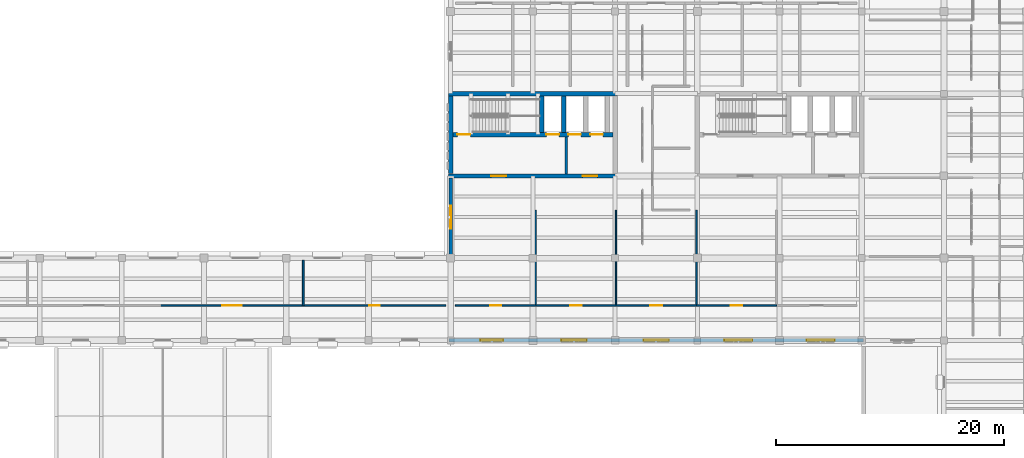
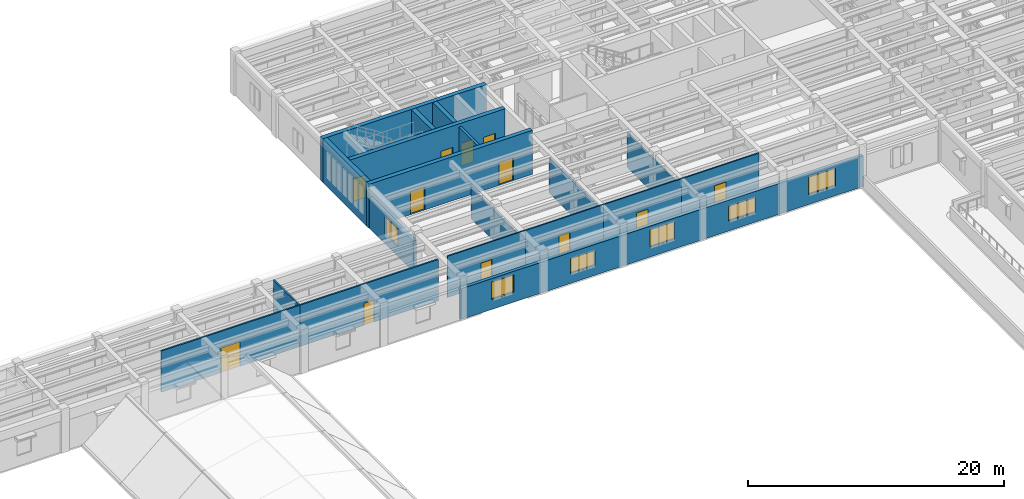
# One storey, part 24 of 40: 19 walls, 12 doors, 6 windows, 18 openings.
"""IFC4 building model written with IfcOpenShell, lengths in metres."""

from ifc_helpers import new_model, si_unit, direction, frame, frame_2d, origin, place, context, subcontext, project, spatial, rectangle, extrude, material, layer, layer_set, type_object, element, fill, save


model = new_model("IFC4")

# Units and contexts
model_context = context("Model", 3, precision=1e-05, world=origin(), true_north=direction((0.0, 1.0)))
body_context = subcontext(model_context, "Body", "Model", "MODEL_VIEW")
ifc_project = project(units=[si_unit("LENGTHUNIT", "METRE"), si_unit("AREAUNIT", "SQUARE_METRE"), si_unit("VOLUMEUNIT", "CUBIC_METRE"), si_unit("PLANEANGLEUNIT", "RADIAN"), si_unit("MASSUNIT", "GRAM", prefix="KILO")], contexts=[model_context])

# Site, building, storey
site_placement = place(None, origin())
site = spatial("IfcSite", under=ifc_project, at=site_placement, CompositionType="ELEMENT")
building_placement = place(site_placement, origin())
building = spatial("IfcBuilding", under=site, at=building_placement, Name="Mithqara Police Headquarters", CompositionType="ELEMENT")
storey_placement = place(building_placement, frame((0.0, 0.0, 13.800048828125)))
storey = spatial("IfcBuildingStorey", under=building, at=storey_placement, Name="L03", CompositionType="ELEMENT", Elevation=13.800048828125)

# Wall
ifc_material_1 = material(Name="Concrete C40/50", Category="concrete")
ifc_layer_1 = layer(ifc_material_1, 0.239990234375, Name="Concrete C40/50")
ifc_layer_set_1 = layer_set([ifc_layer_1], Name="Concrete C40/50")
wall_type_1 = type_object("IfcWallType", Name="CORE LOBBY WALL 240", PredefinedType="SOLIDWALL", material=ifc_layer_set_1)
wall_1_placement = place(storey_placement, frame((118.72998046875, 93.18994140625, 0.0), z_axis=(0.0, 0.0, 1.0), x_axis=(0.0, 1.0, 0.0)))
element("IfcWall", 1, at=wall_1_placement, inside=storey, type_object=wall_type_1, Name="Core C1 Command West Firefighting Lobby Separation Wall L03", PredefinedType="SOLIDWALL", context=body_context, shape_type="SweptSolid", body=[
    extrude(rectangle(XDim=3.239990234375, YDim=0.239990234375, at=frame_2d((1.6201171875, 0.0))), origin(), (0.0, 0.0, 1.0), 3.909912109375),
])

# Wall, openings, windows
ifc_material_2 = material(Name="Ochre masonry cavity wall, 35 MPa", Category="masonry")
ifc_layer_2 = layer(ifc_material_2, 0.300048828125, Name="Ochre masonry cavity wall, 35 MPa")
ifc_layer_set_2 = layer_set([ifc_layer_2], Name="Ochre masonry cavity wall, 35 MPa")
wall_type_2 = type_object("IfcWallType", Name="EXT WALL OCHRE BRICK300", PredefinedType="SOLIDWALL", material=ifc_layer_set_2)
wall_2_placement = place(storey_placement, frame((108.449951171875, 78.60009765625, 0.0), z_axis=(0.0, 0.0, 1.0), x_axis=(1.0, 0.0, 0.0)))
wall_2 = element("IfcWall", 2, at=wall_2_placement, inside=storey, type_object=wall_type_2, Name="L03 Exterior Wall 6.1", PredefinedType="SOLIDWALL", context=body_context, shape_type="SweptSolid", body=[
    extrude(rectangle(XDim=36.300048828125, YDim=0.300048828125, at=frame_2d((18.14990234375, 0.0))), origin(), (0.0, 0.0, 1.0), 2.93994140625),
])
opening_1_placement = place(wall_2_placement, frame((2.75, 0.0, 0.949951171875)))
opening_1 = element("IfcOpeningElement", 3, at=opening_1_placement, cuts=wall_2, Name="Opening W-37", PredefinedType="OPENING", context=body_context, shape_type="SweptSolid", body=[
    extrude(rectangle(XDim=2.0, YDim=1.64990234375, at=frame_2d((1.0, 0.824951171875))), frame((0.0, 0.16015625, 0.0), z_axis=(0.0, -1.0, 0.0), x_axis=(1.0, 0.0, 0.0)), (0.0, 0.0, 1.0), 0.320068359375),
])
opening_2_placement = place(wall_2_placement, frame((9.85009765625, 0.0, 0.949951171875)))
opening_2 = element("IfcOpeningElement", 4, at=opening_2_placement, cuts=wall_2, Name="Opening W-41", PredefinedType="OPENING", context=body_context, shape_type="SweptSolid", body=[
    extrude(rectangle(XDim=2.199951171875, YDim=1.39990234375, at=frame_2d((1.10009765625, 0.699951171875))), frame((0.0, 0.16015625, 0.0), z_axis=(0.0, -1.0, 0.0), x_axis=(1.0, 0.0, 0.0)), (0.0, 0.0, 1.0), 0.320068359375),
])
opening_3_placement = place(wall_2_placement, frame((17.050048828125, 0.0, 0.949951171875)))
opening_3 = element("IfcOpeningElement", 5, at=opening_3_placement, cuts=wall_2, Name="Opening W-42", PredefinedType="OPENING", context=body_context, shape_type="SweptSolid", body=[
    extrude(rectangle(XDim=2.199951171875, YDim=1.64990234375, at=frame_2d((1.10009765625, 0.824951171875))), frame((0.0, 0.16015625, 0.0), z_axis=(0.0, -1.0, 0.0), x_axis=(1.0, 0.0, 0.0)), (0.0, 0.0, 1.0), 0.320068359375),
])
opening_4_placement = place(wall_2_placement, frame((24.125, 0.0, 0.949951171875)))
opening_4 = element("IfcOpeningElement", 6, at=opening_4_placement, cuts=wall_2, Name="Opening W-46", PredefinedType="OPENING", context=body_context, shape_type="SweptSolid", body=[
    extrude(rectangle(XDim=2.449951171875, YDim=1.39990234375, at=frame_2d((1.22509765625, 0.699951171875))), frame((0.0, 0.16015625, 0.0), z_axis=(0.0, -1.0, 0.0), x_axis=(1.0, 0.0, 0.0)), (0.0, 0.0, 1.0), 0.320068359375),
])
opening_5_placement = place(wall_2_placement, frame((31.324951171875, 0.0, 0.949951171875)))
opening_5 = element("IfcOpeningElement", 7, at=opening_5_placement, cuts=wall_2, Name="Opening W-47", PredefinedType="OPENING", context=body_context, shape_type="SweptSolid", body=[
    extrude(rectangle(XDim=2.449951171875, YDim=1.64990234375, at=frame_2d((1.22509765625, 0.824951171875))), frame((0.0, 0.16015625, 0.0), z_axis=(0.0, -1.0, 0.0), x_axis=(1.0, 0.0, 0.0)), (0.0, 0.0, 1.0), 0.320068359375),
])
ifc_material_3 = material(Name="Spectrally selective double low-e glass", Category="glass")
window_type_1 = type_object("IfcWindowType", Name="WINDOW 2000X1650", PartitioningType="DOUBLE_PANEL_VERTICAL", PredefinedType="WINDOW", material=ifc_material_3)
window_1_placement = place(opening_1_placement, origin())
window_1 = element("IfcWindow", 8, at=window_1_placement, inside=storey, type_object=window_type_1, Name="L03 Command Block Screened Window 6.1", OverallHeight=1.64990234375, OverallWidth=2.0, PartitioningType="SINGLE_PANEL", PredefinedType="WINDOW", context=body_context, shape_type="SweptSolid", body=[
    extrude(rectangle(XDim=2.0, YDim=1.64990234375, at=frame_2d((1.0, 0.824951171875))), frame((0.0, 0.030029296875, 0.0), z_axis=(0.0, -1.0, 0.0), x_axis=(1.0, 0.0, 0.0)), (0.0, 0.0, 1.0), 0.06005859375),
])
fill(opening_1, window_1)
window_type_2 = type_object("IfcWindowType", Name="WINDOW 2200X1400", PartitioningType="DOUBLE_PANEL_VERTICAL", PredefinedType="WINDOW", material=ifc_material_3)
window_2_placement = place(opening_2_placement, origin())
window_2 = element("IfcWindow", 9, at=window_2_placement, inside=storey, type_object=window_type_2, Name="L03 Command Block Screened Window 6.2", OverallHeight=1.39990234375, OverallWidth=2.199951171875, PartitioningType="SINGLE_PANEL", PredefinedType="WINDOW", context=body_context, shape_type="SweptSolid", body=[
    extrude(rectangle(XDim=2.199951171875, YDim=1.39990234375, at=frame_2d((1.10009765625, 0.699951171875))), frame((0.0, 0.030029296875, 0.0), z_axis=(0.0, -1.0, 0.0), x_axis=(1.0, 0.0, 0.0)), (0.0, 0.0, 1.0), 0.06005859375),
])
fill(opening_2, window_2)
window_type_3 = type_object("IfcWindowType", Name="WINDOW 2200X1650", PartitioningType="DOUBLE_PANEL_VERTICAL", PredefinedType="WINDOW", material=ifc_material_3)
window_3_placement = place(opening_3_placement, origin())
window_3 = element("IfcWindow", 10, at=window_3_placement, inside=storey, type_object=window_type_3, Name="L03 Command Block Screened Window 6.3", OverallHeight=1.64990234375, OverallWidth=2.199951171875, PartitioningType="SINGLE_PANEL", PredefinedType="WINDOW", context=body_context, shape_type="SweptSolid", body=[
    extrude(rectangle(XDim=2.199951171875, YDim=1.64990234375, at=frame_2d((1.10009765625, 0.824951171875))), frame((0.0, 0.030029296875, 0.0), z_axis=(0.0, -1.0, 0.0), x_axis=(1.0, 0.0, 0.0)), (0.0, 0.0, 1.0), 0.06005859375),
])
fill(opening_3, window_3)
window_type_4 = type_object("IfcWindowType", Name="WINDOW 2450X1400", PartitioningType="DOUBLE_PANEL_VERTICAL", PredefinedType="WINDOW", material=ifc_material_3)
window_4_placement = place(opening_4_placement, origin())
window_4 = element("IfcWindow", 11, at=window_4_placement, inside=storey, type_object=window_type_4, Name="L03 Command Block Screened Window 6.4", OverallHeight=1.39990234375, OverallWidth=2.449951171875, PartitioningType="SINGLE_PANEL", PredefinedType="WINDOW", context=body_context, shape_type="SweptSolid", body=[
    extrude(rectangle(XDim=2.449951171875, YDim=1.39990234375, at=frame_2d((1.22509765625, 0.699951171875))), frame((0.0, 0.030029296875, 0.0), z_axis=(0.0, -1.0, 0.0), x_axis=(1.0, 0.0, 0.0)), (0.0, 0.0, 1.0), 0.06005859375),
])
fill(opening_4, window_4)
window_type_5 = type_object("IfcWindowType", Name="WINDOW 2450X1650", PartitioningType="DOUBLE_PANEL_VERTICAL", PredefinedType="WINDOW", material=ifc_material_3)
window_5_placement = place(opening_5_placement, origin())
window_5 = element("IfcWindow", 12, at=window_5_placement, inside=storey, type_object=window_type_5, Name="L03 Command Block Screened Window 6.5", OverallHeight=1.64990234375, OverallWidth=2.449951171875, PartitioningType="SINGLE_PANEL", PredefinedType="WINDOW", context=body_context, shape_type="SweptSolid", body=[
    extrude(rectangle(XDim=2.449951171875, YDim=1.64990234375, at=frame_2d((1.22509765625, 0.824951171875))), frame((0.0, 0.030029296875, 0.0), z_axis=(0.0, -1.0, 0.0), x_axis=(1.0, 0.0, 0.0)), (0.0, 0.0, 1.0), 0.06005859375),
])
fill(opening_5, window_5)

# Wall, opening, window
wall_3_placement = place(storey_placement, frame((108.60009765625, 92.81005859375, 0.0), z_axis=(0.0, 0.0, 1.0), x_axis=(0.0, -1.0, 0.0)))
wall_3 = element("IfcWall", 13, at=wall_3_placement, inside=storey, type_object=wall_type_2, Name="L03 Exterior Wall 14.2", PredefinedType="SOLIDWALL", context=body_context, shape_type="SweptSolid", body=[
    extrude(rectangle(XDim=6.860107421875, YDim=0.300048828125, at=frame_2d((3.43017578125, 0.0))), origin(), (0.0, 0.0, 1.0), 2.93994140625),
])
opening_6_placement = place(wall_3_placement, frame((2.429931640625, 0.0, 0.949951171875)))
opening_6 = element("IfcOpeningElement", 14, at=opening_6_placement, cuts=wall_3, Name="Opening W-37", PredefinedType="OPENING", context=body_context, shape_type="SweptSolid", body=[
    extrude(rectangle(XDim=2.0, YDim=1.64990234375, at=frame_2d((1.0, 0.824951171875))), frame((0.0, 0.16015625, 0.0), z_axis=(0.0, -1.0, 0.0), x_axis=(1.0, 0.0, 0.0)), (0.0, 0.0, 1.0), 0.320068359375),
])
window_6_placement = place(opening_6_placement, origin())
window_6 = element("IfcWindow", 15, at=window_6_placement, inside=storey, type_object=window_type_1, Name="L03 Command Block Screened Window 14.1", OverallHeight=1.64990234375, OverallWidth=2.0, PartitioningType="SINGLE_PANEL", PredefinedType="WINDOW", context=body_context, shape_type="SweptSolid", body=[
    extrude(rectangle(XDim=2.0, YDim=1.64990234375, at=frame_2d((1.0, 0.824951171875))), frame((0.0, 0.030029296875, 0.0), z_axis=(0.0, -1.0, 0.0), x_axis=(1.0, 0.0, 0.0)), (0.0, 0.0, 1.0), 0.06005859375),
])
fill(opening_6, window_6)

# Wall, opening, door
ifc_material_4 = material(Name="Gypsum acoustic stud partition", Category="gypsum")
ifc_layer_3 = layer(ifc_material_4, 0.1201171875, Name="Gypsum acoustic stud partition")
ifc_layer_set_3 = layer_set([ifc_layer_3], Name="Gypsum acoustic stud partition")
wall_type_3 = type_object("IfcWallType", Name="PART WALL 120", PredefinedType="PARTITIONING", material=ifc_layer_set_3)
wall_4_placement = place(storey_placement, frame((109.02001953125, 81.639892578125, 0.0), z_axis=(0.0, 0.0, 1.0), x_axis=(1.0, 0.0, 0.0)))
wall_4 = element("IfcWall", 16, at=wall_4_placement, inside=storey, type_object=wall_type_3, Name="L03 Corridor Wall Warrants and Records Office", PredefinedType="PARTITIONING", context=body_context, shape_type="SweptSolid", body=[
    extrude(rectangle(XDim=7.031982421875, YDim=0.1201171875, at=frame_2d((3.51611328125, 0.0))), origin(), (0.0, 0.0, 1.0), 3.93994140625),
])
opening_7_placement = place(wall_4_placement, frame((3.02587890625, 0.0, 0.0)))
opening_7 = element("IfcOpeningElement", 17, at=opening_7_placement, cuts=wall_4, Name="Opening D-05", PredefinedType="OPENING", context=body_context, shape_type="SweptSolid", body=[
    extrude(rectangle(XDim=0.97998046875, YDim=2.219970703125, at=frame_2d((0.489990234375, 1.10986328125))), frame((0.0, 0.070068359375, 0.0), z_axis=(0.0, -1.0, 0.0), x_axis=(1.0, 0.0, 0.0)), (0.0, 0.0, 1.0), 0.14013671875),
])
ifc_material_5 = material(Name="Acoustic solid-core timber leaf", Category="wood")
door_type_1 = type_object("IfcDoorType", Name="INT DOOR 980X2220", OperationType="NOTDEFINED", PredefinedType="DOOR", material=ifc_material_5)
door_1_placement = place(opening_7_placement, origin())
door_1 = element("IfcDoor", 18, at=door_1_placement, inside=storey, type_object=door_type_1, Name="Warrants and Records Office Entry Door", OperationType="SINGLE_SWING_RIGHT", OverallHeight=2.219970703125, OverallWidth=0.97998046875, PredefinedType="DOOR", context=body_context, shape_type="SweptSolid", body=[
    extrude(rectangle(XDim=0.97998046875, YDim=2.219970703125, at=frame_2d((0.489990234375, 1.10986328125))), frame((0.0, 0.02490234375, 0.0), z_axis=(0.0, -1.0, 0.0), x_axis=(1.0, 0.0, 0.0)), (0.0, 0.0, 1.0), 0.050048828125),
])
fill(opening_7, door_1)

# Wall
wall_5_placement = place(storey_placement, frame((116.052001953125, 81.639892578125, 0.0), z_axis=(0.0, 0.0, 1.0), x_axis=(0.0, 1.0, 0.0)))
element("IfcWall", 19, at=wall_5_placement, inside=storey, type_object=wall_type_3, Name="L03 Room Partition Warrants and Records Office", PredefinedType="PARTITIONING", context=body_context, shape_type="SweptSolid", body=[
    extrude(rectangle(XDim=8.360107421875, YDim=0.1201171875, at=frame_2d((4.18017578125, 0.0))), origin(), (0.0, 0.0, 1.0), 2.93994140625),
])

# Wall, opening, door
wall_6_placement = place(storey_placement, frame((116.052001953125, 81.639892578125, 0.0), z_axis=(0.0, 0.0, 1.0), x_axis=(1.0, 0.0, 0.0)))
wall_6 = element("IfcWall", 20, at=wall_6_placement, inside=storey, type_object=wall_type_3, Name="L03 Corridor Wall Judicial Liaison Suite", PredefinedType="PARTITIONING", context=body_context, shape_type="SweptSolid", body=[
    extrude(rectangle(XDim=7.031982421875, YDim=0.1201171875, at=frame_2d((3.51611328125, 0.0))), origin(), (0.0, 0.0, 1.0), 3.93994140625),
])
opening_8_placement = place(wall_6_placement, frame((3.02587890625, 0.0, 0.0)))
opening_8 = element("IfcOpeningElement", 21, at=opening_8_placement, cuts=wall_6, Name="Opening D-06", PredefinedType="OPENING", context=body_context, shape_type="SweptSolid", body=[
    extrude(rectangle(XDim=0.97998046875, YDim=2.35009765625, at=frame_2d((0.489990234375, 1.175048828125))), frame((0.0, 0.070068359375, 0.0), z_axis=(0.0, -1.0, 0.0), x_axis=(1.0, 0.0, 0.0)), (0.0, 0.0, 1.0), 0.14013671875),
])
door_type_2 = type_object("IfcDoorType", Name="INT DOOR 980X2350", OperationType="NOTDEFINED", PredefinedType="DOOR", material=ifc_material_5)
door_2_placement = place(opening_8_placement, origin())
door_2 = element("IfcDoor", 22, at=door_2_placement, inside=storey, type_object=door_type_2, Name="Judicial Liaison Suite Entry Door", OperationType="SINGLE_SWING_LEFT", OverallHeight=2.35009765625, OverallWidth=0.97998046875, PredefinedType="DOOR", context=body_context, shape_type="SweptSolid", body=[
    extrude(rectangle(XDim=0.97998046875, YDim=2.35009765625, at=frame_2d((0.489990234375, 1.175048828125))), frame((0.0, 0.02490234375, 0.0), z_axis=(0.0, -1.0, 0.0), x_axis=(1.0, 0.0, 0.0)), (0.0, 0.0, 1.0), 0.050048828125),
])
fill(opening_8, door_2)

# Wall
wall_7_placement = place(storey_placement, frame((123.083984375, 81.639892578125, 0.0), z_axis=(0.0, 0.0, 1.0), x_axis=(0.0, 1.0, 0.0)))
element("IfcWall", 23, at=wall_7_placement, inside=storey, type_object=wall_type_3, Name="L03 Room Partition Judicial Liaison Suite", PredefinedType="PARTITIONING", context=body_context, shape_type="SweptSolid", body=[
    extrude(rectangle(XDim=8.360107421875, YDim=0.1201171875, at=frame_2d((4.18017578125, 0.0))), origin(), (0.0, 0.0, 1.0), 3.33984375),
])

# Wall, opening, door
wall_8_placement = place(storey_placement, frame((123.083984375, 81.639892578125, 0.0), z_axis=(0.0, 0.0, 1.0), x_axis=(1.0, 0.0, 0.0)))
wall_8 = element("IfcWall", 24, at=wall_8_placement, inside=storey, type_object=wall_type_3, Name="L03 Corridor Wall Briefing Room", PredefinedType="PARTITIONING", context=body_context, shape_type="SweptSolid", body=[
    extrude(rectangle(XDim=7.031982421875, YDim=0.1201171875, at=frame_2d((3.51611328125, 0.0))), origin(), (0.0, 0.0, 1.0), 3.93994140625),
])
opening_9_placement = place(wall_8_placement, frame((2.99609375, 0.0, 0.0)))
opening_9 = element("IfcOpeningElement", 25, at=opening_9_placement, cuts=wall_8, Name="Opening D-07", PredefinedType="OPENING", context=body_context, shape_type="SweptSolid", body=[
    extrude(rectangle(XDim=1.0400390625, YDim=2.10009765625, at=frame_2d((0.52001953125, 1.050048828125))), frame((0.0, 0.070068359375, 0.0), z_axis=(0.0, -1.0, 0.0), x_axis=(1.0, 0.0, 0.0)), (0.0, 0.0, 1.0), 0.14013671875),
])
door_type_3 = type_object("IfcDoorType", Name="INT DOOR 1040X2100", OperationType="NOTDEFINED", PredefinedType="DOOR", material=ifc_material_5)
door_3_placement = place(opening_9_placement, origin())
door_3 = element("IfcDoor", 26, at=door_3_placement, inside=storey, type_object=door_type_3, Name="Briefing Room Entry Door", OperationType="SINGLE_SWING_RIGHT", OverallHeight=2.10009765625, OverallWidth=1.0400390625, PredefinedType="DOOR", context=body_context, shape_type="SweptSolid", body=[
    extrude(rectangle(XDim=1.0400390625, YDim=2.10009765625, at=frame_2d((0.52001953125, 1.050048828125))), frame((0.0, 0.02490234375, 0.0), z_axis=(0.0, -1.0, 0.0), x_axis=(1.0, 0.0, 0.0)), (0.0, 0.0, 1.0), 0.050048828125),
])
fill(opening_9, door_3)

# Wall
wall_9_placement = place(storey_placement, frame((130.115966796875, 81.639892578125, 0.0), z_axis=(0.0, 0.0, 1.0), x_axis=(0.0, 1.0, 0.0)))
element("IfcWall", 27, at=wall_9_placement, inside=storey, type_object=wall_type_3, Name="L03 Room Partition Briefing Room", PredefinedType="PARTITIONING", context=body_context, shape_type="SweptSolid", body=[
    extrude(rectangle(XDim=8.360107421875, YDim=0.1201171875, at=frame_2d((4.18017578125, 0.0))), origin(), (0.0, 0.0, 1.0), 3.2900390625),
])

# Wall, opening, door
wall_10_placement = place(storey_placement, frame((130.115966796875, 81.639892578125, 0.0), z_axis=(0.0, 0.0, 1.0), x_axis=(1.0, 0.0, 0.0)))
wall_10 = element("IfcWall", 28, at=wall_10_placement, inside=storey, type_object=wall_type_3, Name="L03 Corridor Wall Criminal Records Verification Room", PredefinedType="PARTITIONING", context=body_context, shape_type="SweptSolid", body=[
    extrude(rectangle(XDim=7.031982421875, YDim=0.1201171875, at=frame_2d((3.51611328125, 0.0))), origin(), (0.0, 0.0, 1.0), 3.93994140625),
])
opening_10_placement = place(wall_10_placement, frame((2.99609375, 0.0, 0.0)))
opening_10 = element("IfcOpeningElement", 29, at=opening_10_placement, cuts=wall_10, Name="Opening D-08", PredefinedType="OPENING", context=body_context, shape_type="SweptSolid", body=[
    extrude(rectangle(XDim=1.0400390625, YDim=2.219970703125, at=frame_2d((0.52001953125, 1.10986328125))), frame((0.0, 0.070068359375, 0.0), z_axis=(0.0, -1.0, 0.0), x_axis=(1.0, 0.0, 0.0)), (0.0, 0.0, 1.0), 0.14013671875),
])
door_type_4 = type_object("IfcDoorType", Name="INT DOOR 1040X2220", OperationType="NOTDEFINED", PredefinedType="DOOR", material=ifc_material_5)
door_4_placement = place(opening_10_placement, origin())
door_4 = element("IfcDoor", 30, at=door_4_placement, inside=storey, type_object=door_type_4, Name="Criminal Records Verification Room Entry Door", OperationType="SINGLE_SWING_LEFT", OverallHeight=2.219970703125, OverallWidth=1.0400390625, PredefinedType="DOOR", context=body_context, shape_type="SweptSolid", body=[
    extrude(rectangle(XDim=1.0400390625, YDim=2.219970703125, at=frame_2d((0.52001953125, 1.10986328125))), frame((0.0, 0.02490234375, 0.0), z_axis=(0.0, -1.0, 0.0), x_axis=(1.0, 0.0, 0.0)), (0.0, 0.0, 1.0), 0.050048828125),
])
fill(opening_10, door_4)

ifc_layer_4 = layer(ifc_material_4, 0.139892578125, Name="Gypsum acoustic stud partition")
ifc_layer_set_4 = layer_set([ifc_layer_4], Name="Gypsum acoustic stud partition")
wall_type_4 = type_object("IfcWallType", Name="PART WALL 140", PredefinedType="PARTITIONING", material=ifc_layer_set_4)
wall_11_placement = place(storey_placement, frame((83.18994140625, 81.639892578125, 0.0), z_axis=(0.0, 0.0, 1.0), x_axis=(1.0, 0.0, 0.0)))
wall_11 = element("IfcWall", 31, at=wall_11_placement, inside=storey, type_object=wall_type_4, Name="L03 Corridor Wall Tactical Classroom", PredefinedType="PARTITIONING", context=body_context, shape_type="SweptSolid", body=[
    extrude(rectangle(XDim=12.4951171875, YDim=0.139892578125, at=frame_2d((6.24755859375, 0.0))), origin(), (0.0, 0.0, 1.0), 3.93994140625),
])
opening_11_placement = place(wall_11_placement, frame((5.387451171875, 0.0, 0.0)))
opening_11 = element("IfcOpeningElement", 32, at=opening_11_placement, cuts=wall_11, Name="Opening D-24", PredefinedType="OPENING", context=body_context, shape_type="SweptSolid", body=[
    extrude(rectangle(XDim=1.719970703125, YDim=2.35009765625, at=frame_2d((0.85986328125, 1.175048828125))), frame((0.0, 0.080078125, 0.0), z_axis=(0.0, -1.0, 0.0), x_axis=(1.0, 0.0, 0.0)), (0.0, 0.0, 1.0), 0.159912109375),
])
ifc_material_6 = material(Name="Bronze anodised aluminium 6063-T6", Category="aluminium")
door_type_5 = type_object("IfcDoorType", Name="INT DOOR 1720X2350", OperationType="NOTDEFINED", PredefinedType="DOOR", material=ifc_material_6)
door_5_placement = place(opening_11_placement, origin())
door_5 = element("IfcDoor", 33, at=door_5_placement, inside=storey, type_object=door_type_5, Name="Tactical Classroom Entry Door", OperationType="DOUBLE_DOOR_SINGLE_SWING", OverallHeight=2.35009765625, OverallWidth=1.719970703125, PredefinedType="DOOR", context=body_context, shape_type="SweptSolid", body=[
    extrude(rectangle(XDim=1.719970703125, YDim=2.35009765625, at=frame_2d((0.85986328125, 1.175048828125))), frame((0.0, 0.02490234375, 0.0), z_axis=(0.0, -1.0, 0.0), x_axis=(1.0, 0.0, 0.0)), (0.0, 0.0, 1.0), 0.050048828125),
])
fill(opening_11, door_5)

# Wall
wall_12_placement = place(storey_placement, frame((95.68505859375, 81.639892578125, 0.0), z_axis=(0.0, 0.0, 1.0), x_axis=(0.0, 1.0, 0.0)))
element("IfcWall", 34, at=wall_12_placement, inside=storey, type_object=wall_type_4, Name="L03 Room Partition Tactical Classroom", PredefinedType="PARTITIONING", context=body_context, shape_type="SweptSolid", body=[
    extrude(rectangle(XDim=3.980224609375, YDim=0.139892578125, at=frame_2d((1.990234375, 0.0))), origin(), (0.0, 0.0, 1.0), 3.93994140625),
])

# Wall, opening, door
wall_13_placement = place(storey_placement, frame((95.68505859375, 81.639892578125, 0.0), z_axis=(0.0, 0.0, 1.0), x_axis=(1.0, 0.0, 0.0)))
wall_13 = element("IfcWall", 35, at=wall_13_placement, inside=storey, type_object=wall_type_4, Name="L03 Corridor Wall Instructor Preparation Room", PredefinedType="PARTITIONING", context=body_context, shape_type="SweptSolid", body=[
    extrude(rectangle(XDim=12.494873046875, YDim=0.139892578125, at=frame_2d((6.24755859375, 0.0))), origin(), (0.0, 0.0, 1.0), 3.93994140625),
])
opening_12_placement = place(wall_13_placement, frame((5.78759765625, 0.0, 0.0)))
opening_12 = element("IfcOpeningElement", 36, at=opening_12_placement, cuts=wall_13, Name="Opening D-01", PredefinedType="OPENING", context=body_context, shape_type="SweptSolid", body=[
    extrude(rectangle(XDim=0.919921875, YDim=2.10009765625, at=frame_2d((0.4599609375, 1.050048828125))), frame((0.0, 0.080078125, 0.0), z_axis=(0.0, -1.0, 0.0), x_axis=(1.0, 0.0, 0.0)), (0.0, 0.0, 1.0), 0.159912109375),
])
door_type_6 = type_object("IfcDoorType", Name="INT DOOR 920X2100", OperationType="NOTDEFINED", PredefinedType="DOOR", material=ifc_material_5)
door_6_placement = place(opening_12_placement, origin())
door_6 = element("IfcDoor", 37, at=door_6_placement, inside=storey, type_object=door_type_6, Name="Instructor Preparation Room Entry Door", OperationType="SINGLE_SWING_RIGHT", OverallHeight=2.10009765625, OverallWidth=0.919921875, PredefinedType="DOOR", context=body_context, shape_type="SweptSolid", body=[
    extrude(rectangle(XDim=0.919921875, YDim=2.10009765625, at=frame_2d((0.4599609375, 1.050048828125))), frame((0.0, 0.02490234375, 0.0), z_axis=(0.0, -1.0, 0.0), x_axis=(1.0, 0.0, 0.0)), (0.0, 0.0, 1.0), 0.050048828125),
])
fill(opening_12, door_6)

# Wall
ifc_material_7 = material(Name="Concrete C50/60", Category="concrete")
ifc_layer_5 = layer(ifc_material_7, 0.3798828125, Name="Concrete C50/60")
ifc_layer_set_5 = layer_set([ifc_layer_5], Name="Concrete C50/60")
wall_type_5 = type_object("IfcWallType", Name="SHEAR WALL 380", PredefinedType="SHEAR", material=ifc_layer_set_5)
wall_14_placement = place(storey_placement, frame((108.409912109375, 100.199951171875, 0.0), z_axis=(0.0, 0.0, 1.0), x_axis=(1.0, 0.0, 0.0)))
element("IfcWall", 38, at=wall_14_placement, inside=storey, type_object=wall_type_5, Name="Core C1 Command West Shear Wall N", PredefinedType="SHEAR", context=body_context, shape_type="SweptSolid", body=[
    extrude(rectangle(XDim=14.780029296875, YDim=0.3798828125, at=frame_2d((7.39013671875, 0.0))), origin(), (0.0, 0.0, 1.0), 4.199951171875),
])

# Wall, openings, doors
wall_15_placement = place(storey_placement, frame((108.409912109375, 93.0, 0.0), z_axis=(0.0, 0.0, 1.0), x_axis=(1.0, 0.0, 0.0)))
wall_15 = element("IfcWall", 39, at=wall_15_placement, inside=storey, type_object=wall_type_5, Name="Core C1 Command West Shear Wall S", PredefinedType="SHEAR", context=body_context, shape_type="SweptSolid", body=[
    extrude(rectangle(XDim=14.780029296875, YDim=0.3798828125, at=frame_2d((7.39013671875, 0.0))), origin(), (0.0, 0.0, 1.0), 4.199951171875),
])
opening_13_placement = place(wall_15_placement, frame((3.739990234375, 0.0, 0.0)))
opening_13 = element("IfcOpeningElement", 40, at=opening_13_placement, cuts=wall_15, Name="Opening FD-02", PredefinedType="OPENING", context=body_context, shape_type="SweptSolid", body=[
    extrude(rectangle(XDim=1.300048828125, YDim=2.199951171875, at=frame_2d((0.64990234375, 1.10009765625))), frame((0.0, 0.199951171875, 0.0), z_axis=(0.0, -1.0, 0.0), x_axis=(1.0, 0.0, 0.0)), (0.0, 0.0, 1.0), 0.39990234375),
])
opening_14_placement = place(wall_15_placement, frame((11.739990234375, 0.0, 0.0)))
opening_14 = element("IfcOpeningElement", 41, at=opening_14_placement, cuts=wall_15, Name="Opening FD-02", PredefinedType="OPENING", context=body_context, shape_type="SweptSolid", body=[
    extrude(rectangle(XDim=1.300048828125, YDim=2.199951171875, at=frame_2d((0.64990234375, 1.10009765625))), frame((0.0, 0.199951171875, 0.0), z_axis=(0.0, -1.0, 0.0), x_axis=(1.0, 0.0, 0.0)), (0.0, 0.0, 1.0), 0.39990234375),
])
ifc_material_8 = material(Name="Steel S355JR", Category="steel")
door_type_7 = type_object("IfcDoorType", Name="CORE DOOR LOBBY 1300X2200", OperationType="NOTDEFINED", PredefinedType="DOOR", material=ifc_material_8)
door_7_placement = place(opening_13_placement, frame((1.300048828125, 0.0, 0.0), z_axis=(0.0, 0.0, 1.0), x_axis=(-1.0, 0.0, 0.0)))
door_7 = element("IfcDoor", 42, at=door_7_placement, inside=storey, type_object=door_type_7, Name="Core C1 Command West FF Lobby Fire Door L03", OperationType="SINGLE_SWING_LEFT", OverallHeight=2.199951171875, OverallWidth=1.300048828125, PredefinedType="DOOR", context=body_context, shape_type="SweptSolid", body=[
    extrude(rectangle(XDim=1.300048828125, YDim=2.199951171875, at=frame_2d((0.64990234375, 1.10009765625))), frame((0.0, 0.02490234375, 0.0), z_axis=(0.0, -1.0, 0.0), x_axis=(1.0, 0.0, 0.0)), (0.0, 0.0, 1.0), 0.050048828125),
])
fill(opening_13, door_7)
door_8_placement = place(opening_14_placement, frame((1.300048828125, 0.0, 0.0), z_axis=(0.0, 0.0, 1.0), x_axis=(-1.0, 0.0, 0.0)))
door_8 = element("IfcDoor", 43, at=door_8_placement, inside=storey, type_object=door_type_7, Name="Core C1 Command West PA Lobby Fire Door L03", OperationType="SINGLE_SWING_RIGHT", OverallHeight=2.199951171875, OverallWidth=1.300048828125, PredefinedType="DOOR", context=body_context, shape_type="SweptSolid", body=[
    extrude(rectangle(XDim=1.300048828125, YDim=2.199951171875, at=frame_2d((0.64990234375, 1.10009765625))), frame((0.0, 0.02490234375, 0.0), z_axis=(0.0, -1.0, 0.0), x_axis=(1.0, 0.0, 0.0)), (0.0, 0.0, 1.0), 0.050048828125),
])
fill(opening_14, door_8)

# Wall
wall_16_placement = place(storey_placement, frame((108.60009765625, 93.199951171875, 0.0), z_axis=(0.0, 0.0, 1.0), x_axis=(0.0, 1.0, 0.0)))
element("IfcWall", 44, at=wall_16_placement, inside=storey, type_object=wall_type_5, Name="Core C1 Command West Shear Wall W", PredefinedType="SHEAR", context=body_context, shape_type="SweptSolid", body=[
    extrude(rectangle(XDim=6.800048828125, YDim=0.3798828125, at=frame_2d((3.39990234375, 0.0))), origin(), (0.0, 0.0, 1.0), 4.199951171875),
])

# Wall, openings, doors
wall_17_placement = place(storey_placement, frame((108.800048828125, 96.6201171875, 0.0), z_axis=(0.0, 0.0, 1.0), x_axis=(1.0, 0.0, 0.0)))
wall_17 = element("IfcWall", 45, at=wall_17_placement, inside=storey, type_object=wall_type_5, Name="Core C1 Command West Shear Wall M", PredefinedType="SHEAR", context=body_context, shape_type="SweptSolid", body=[
    extrude(rectangle(XDim=14.0, YDim=0.3798828125, at=frame_2d((7.0, 0.0))), origin(), (0.0, 0.0, 1.0), 4.199951171875),
])
opening_15_placement = place(wall_17_placement, frame((8.18994140625, 0.0, 0.0)))
opening_15 = element("IfcOpeningElement", 46, at=opening_15_placement, cuts=wall_17, Name="Opening LD-01", PredefinedType="OPENING", context=body_context, shape_type="SweptSolid", body=[
    extrude(rectangle(XDim=1.10009765625, YDim=2.14990234375, at=frame_2d((0.550048828125, 1.074951171875))), frame((0.0, 0.199951171875, 0.0), z_axis=(0.0, -1.0, 0.0), x_axis=(1.0, 0.0, 0.0)), (0.0, 0.0, 1.0), 0.39990234375),
])
opening_16_placement = place(wall_17_placement, frame((10.110107421875, 0.0, 0.0)))
opening_16 = element("IfcOpeningElement", 47, at=opening_16_placement, cuts=wall_17, Name="Opening LD-01", PredefinedType="OPENING", context=body_context, shape_type="SweptSolid", body=[
    extrude(rectangle(XDim=1.10009765625, YDim=2.14990234375, at=frame_2d((0.550048828125, 1.074951171875))), frame((0.0, 0.199951171875, 0.0), z_axis=(0.0, -1.0, 0.0), x_axis=(1.0, 0.0, 0.0)), (0.0, 0.0, 1.0), 0.39990234375),
])
opening_17_placement = place(wall_17_placement, frame((12.030029296875, 0.0, 0.0)))
opening_17 = element("IfcOpeningElement", 48, at=opening_17_placement, cuts=wall_17, Name="Opening LD-01", PredefinedType="OPENING", context=body_context, shape_type="SweptSolid", body=[
    extrude(rectangle(XDim=1.10009765625, YDim=2.14990234375, at=frame_2d((0.550048828125, 1.074951171875))), frame((0.0, 0.199951171875, 0.0), z_axis=(0.0, -1.0, 0.0), x_axis=(1.0, 0.0, 0.0)), (0.0, 0.0, 1.0), 0.39990234375),
])
opening_18_placement = place(wall_17_placement, frame((0.375, 0.0, 0.0)))
opening_18 = element("IfcOpeningElement", 49, at=opening_18_placement, cuts=wall_17, Name="Opening FD-01", PredefinedType="OPENING", context=body_context, shape_type="SweptSolid", body=[
    extrude(rectangle(XDim=1.14990234375, YDim=2.14990234375, at=frame_2d((0.574951171875, 1.074951171875))), frame((0.0, 0.199951171875, 0.0), z_axis=(0.0, -1.0, 0.0), x_axis=(1.0, 0.0, 0.0)), (0.0, 0.0, 1.0), 0.39990234375),
])
door_type_8 = type_object("IfcDoorType", Name="CORE DOOR STAIR 1150X2150", OperationType="NOTDEFINED", PredefinedType="DOOR", material=ifc_material_8)
door_9_placement = place(opening_18_placement, origin())
door_9 = element("IfcDoor", 50, at=door_9_placement, inside=storey, type_object=door_type_8, Name="Stair ST-01 Fire Door L03", OperationType="SINGLE_SWING_RIGHT", OverallHeight=2.14990234375, OverallWidth=1.14990234375, PredefinedType="DOOR", context=body_context, shape_type="SweptSolid", body=[
    extrude(rectangle(XDim=1.14990234375, YDim=2.14990234375, at=frame_2d((0.574951171875, 1.074951171875))), frame((0.0, 0.02490234375, 0.0), z_axis=(0.0, -1.0, 0.0), x_axis=(1.0, 0.0, 0.0)), (0.0, 0.0, 1.0), 0.050048828125),
])
fill(opening_18, door_9)
door_type_9 = type_object("IfcDoorType", Name="LIFT DOOR 1100X2150", OperationType="DOUBLE_DOOR_SLIDING", PredefinedType="DOOR", material=ifc_material_8)
door_10_placement = place(opening_15_placement, frame((1.10009765625, 0.0, 0.0), z_axis=(0.0, 0.0, 1.0), x_axis=(-1.0, 0.0, 0.0)))
door_10 = element("IfcDoor", 51, at=door_10_placement, inside=storey, type_object=door_type_9, Name="Lift Landing Door FL-01-L03", OperationType="DOUBLE_DOOR_SLIDING", OverallHeight=2.14990234375, OverallWidth=1.10009765625, PredefinedType="DOOR", context=body_context, shape_type="SweptSolid", body=[
    extrude(rectangle(XDim=1.10009765625, YDim=2.14990234375, at=frame_2d((0.550048828125, 1.074951171875))), frame((0.0, 0.02490234375, 0.0), z_axis=(0.0, -1.0, 0.0), x_axis=(1.0, 0.0, 0.0)), (0.0, 0.0, 1.0), 0.050048828125),
])
fill(opening_15, door_10)
door_11_placement = place(opening_16_placement, frame((1.10009765625, 0.0, 0.0), z_axis=(0.0, 0.0, 1.0), x_axis=(-1.0, 0.0, 0.0)))
door_11 = element("IfcDoor", 52, at=door_11_placement, inside=storey, type_object=door_type_9, Name="Lift Landing Door LP-01-L03", OperationType="DOUBLE_DOOR_SLIDING", OverallHeight=2.14990234375, OverallWidth=1.10009765625, PredefinedType="DOOR", context=body_context, shape_type="SweptSolid", body=[
    extrude(rectangle(XDim=1.10009765625, YDim=2.14990234375, at=frame_2d((0.550048828125, 1.074951171875))), frame((0.0, 0.02490234375, 0.0), z_axis=(0.0, -1.0, 0.0), x_axis=(1.0, 0.0, 0.0)), (0.0, 0.0, 1.0), 0.050048828125),
])
fill(opening_16, door_11)
door_12_placement = place(opening_17_placement, frame((1.10009765625, 0.0, 0.0), z_axis=(0.0, 0.0, 1.0), x_axis=(-1.0, 0.0, 0.0)))
door_12 = element("IfcDoor", 53, at=door_12_placement, inside=storey, type_object=door_type_9, Name="Lift Landing Door LP-02-L03", OperationType="DOUBLE_DOOR_SLIDING", OverallHeight=2.14990234375, OverallWidth=1.10009765625, PredefinedType="DOOR", context=body_context, shape_type="SweptSolid", body=[
    extrude(rectangle(XDim=1.10009765625, YDim=2.14990234375, at=frame_2d((0.550048828125, 1.074951171875))), frame((0.0, 0.02490234375, 0.0), z_axis=(0.0, -1.0, 0.0), x_axis=(1.0, 0.0, 0.0)), (0.0, 0.0, 1.0), 0.050048828125),
])
fill(opening_17, door_12)

# Walls
for number, where, z_axis, x_axis, name in (
    (54, (116.580078125, 96.820068359375, 0.0), (0.0, 0.0, 1.0), (0.0, 1.0, 0.0), "Core C1 Command West Shear Wall X"),
    (55, (118.5, 96.820068359375, 0.0), (0.0, 0.0, 1.0), (0.0, 1.0, 0.0), "Core C1 Command West Shear Wall L1"),
):
    element("IfcWall", number, at=place(storey_placement, frame(where, z_axis=z_axis, x_axis=x_axis)), inside=storey, type_object=wall_type_5, Name=name, PredefinedType="SHEAR", context=body_context, shape_type="SweptSolid", body=[
        extrude(rectangle(XDim=3.179931640625, YDim=0.3798828125, at=frame_2d((1.58984375, 0.0))), origin(), (0.0, 0.0, 1.0), 4.199951171875),
    ])

save(model, "model.ifc")
